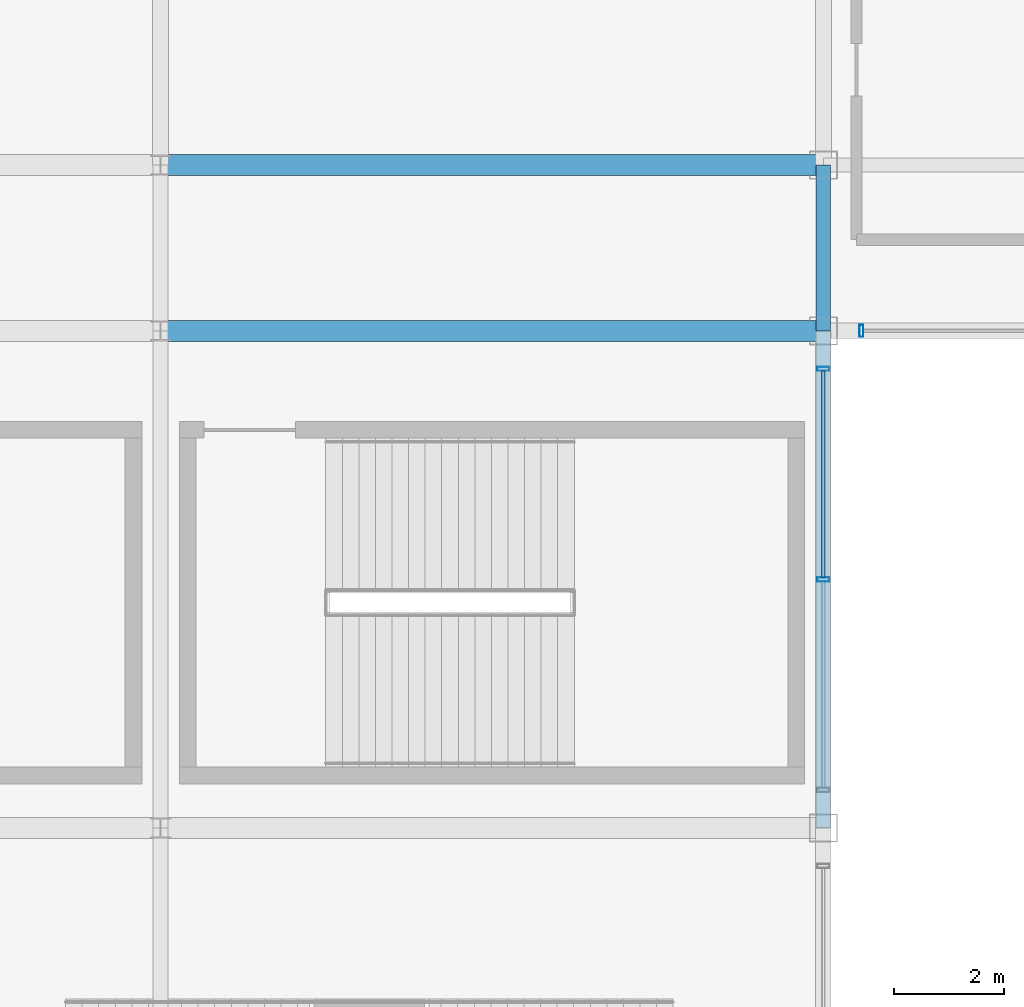
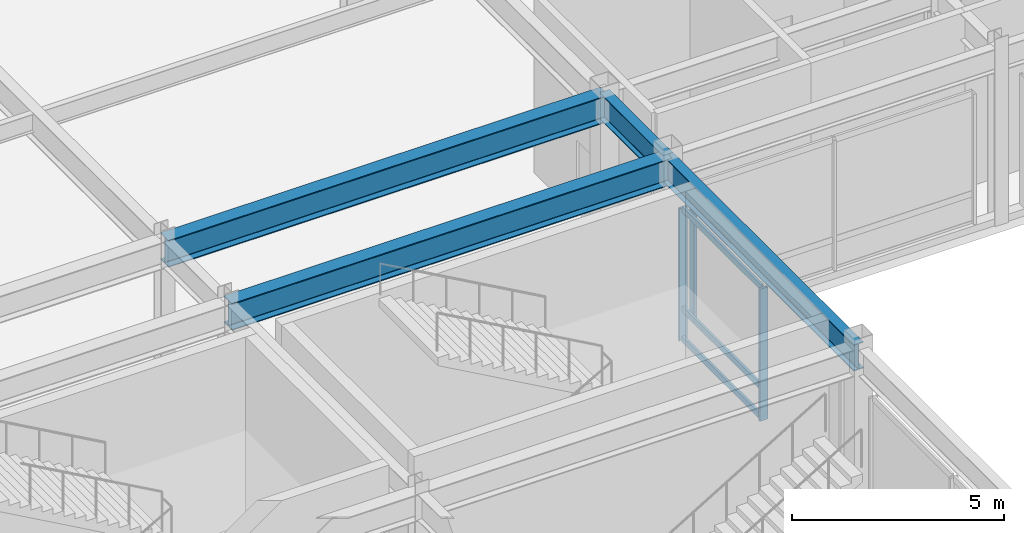
# One storey, part 58 of 100: 6 members, 4 beams, 2 elements without a shape of their own.
"""IFC4 building model written with IfcOpenShell, lengths in metres."""

from ifc_helpers import new_model, si_unit, direction, frame, origin, origin_2d, place, context, subcontext, project, spatial, hollow_rectangle, i_section, extrude, material, material_profile, profile_set, type_object, element, aggregate, save


model = new_model("IFC4")

# Units and contexts
model_context = context("Model", 3, precision=1e-05, world=origin(), true_north=direction((0.0, 1.0)))
body_context = subcontext(model_context, "Body", "Model", "MODEL_VIEW")
ifc_project = project(units=[si_unit("LENGTHUNIT", "METRE"), si_unit("AREAUNIT", "SQUARE_METRE"), si_unit("VOLUMEUNIT", "CUBIC_METRE"), si_unit("PLANEANGLEUNIT", "RADIAN"), si_unit("MASSUNIT", "GRAM", prefix="KILO")], contexts=[model_context])

# Site, building, storey
site_placement = place(None, origin())
site = spatial("IfcSite", under=ifc_project, at=site_placement, CompositionType="ELEMENT")
building_placement = place(site_placement, origin())
building = spatial("IfcBuilding", under=site, at=building_placement, Name="Kaldorvane Square Convention Centre", CompositionType="ELEMENT")
storey_placement = place(building_placement, frame((0.0, 0.0, 18.0)))
storey = spatial("IfcBuildingStorey", under=building, at=storey_placement, Name="L03", CompositionType="ELEMENT", Elevation=18.0)

# Beams
ifc_material_1 = material(Name="Steel ASTM A992 Gr. 50", Category="steel")
ifc_material_profile_1 = material_profile(ifc_material_1, i_section(OverallWidth=0.2666015625, OverallDepth=0.762298583984375, WebThickness=0.014404296875, FlangeThickness=0.0216064453125, FilletRadius=0.0164947509765625, at=origin_2d()), Name="W30X116")
ifc_profile_set_1 = profile_set([ifc_material_profile_1], Name="Steel ASTM A992 Gr. 50")
beam_type_1 = type_object("IfcBeamType", Name="BM-GR-W30X116", PredefinedType="BEAM", material=ifc_profile_set_1)
beam_1_placement = place(storey_placement, frame((138.0, 72.0, 4.694793701171875), z_axis=(0.0, 1.0, 0.0), x_axis=(-1.0, 0.0, 0.0)))
element("IfcBeam", 1, at=beam_1_placement, inside=storey, type_object=beam_type_1, Name="Transverse Girder (L03)", PredefinedType="BEAM", context=body_context, shape_type="SweptSolid", body=[
    extrude(i_section(OverallWidth=0.2666015625, OverallDepth=0.762298583984375, WebThickness=0.014404296875, FlangeThickness=0.0216064453125, FilletRadius=0.0164947509765625, at=origin_2d()), origin(), (0.0, 0.0, 1.0), 9.0),
])
beam_2_placement = place(storey_placement, frame((138.0, 81.0, 4.694793701171875), z_axis=(0.0, 1.0, 0.0), x_axis=(-1.0, 0.0, 0.0)))
element("IfcBeam", 2, at=beam_2_placement, inside=storey, type_object=beam_type_1, Name="Transverse Girder (L03)", PredefinedType="BEAM", context=body_context, shape_type="SweptSolid", body=[
    extrude(i_section(OverallWidth=0.2666015625, OverallDepth=0.762298583984375, WebThickness=0.014404296875, FlangeThickness=0.0216064453125, FilletRadius=0.0164947509765625, at=origin_2d()), origin(), (0.0, 0.0, 1.0), 3.0),
])
ifc_material_profile_2 = material_profile(ifc_material_1, i_section(OverallWidth=0.380706787109375, OverallDepth=0.773193359375, WebThickness=0.0166015625, FlangeThickness=0.027099609375, FilletRadius=0.0164947509765625, at=origin_2d()), Name="W30X173")
ifc_profile_set_2 = profile_set([ifc_material_profile_2], Name="Steel ASTM A992 Gr. 50")
beam_type_2 = type_object("IfcBeamType", Name="BM-GR-W30X173", PredefinedType="BEAM", material=ifc_profile_set_2)
for number, where, z_axis, x_axis, name in (
    (3, (126.0, 81.0, 4.6894073486328125), (1.0, 0.0, 0.0), (0.0, 1.0, 0.0), "Primary Girder (L03)"),
    (4, (126.0, 84.0, 4.6894073486328125), (1.0, 0.0, 0.0), (0.0, 1.0, 0.0), "Primary Girder (L03)"),
):
    element("IfcBeam", number, at=place(storey_placement, frame(where, z_axis=z_axis, x_axis=x_axis)), inside=storey, type_object=beam_type_2, Name=name, PredefinedType="BEAM", context=body_context, shape_type="SweptSolid", body=[
        extrude(i_section(OverallWidth=0.380706787109375, OverallDepth=0.773193359375, WebThickness=0.0166015625, FlangeThickness=0.027099609375, FilletRadius=0.0164947509765625, at=origin_2d()), origin(), (0.0, 0.0, 1.0), 12.0),
    ])

# Curtain wall, members
ifc_material_2 = material(Name="Anodized Aluminum and Low-E Insulated Glazing", Category="aluminium")
curtain_wall_type = type_object("IfcCurtainWallType", Name="CW-PTS-FC-54", PredefinedType="USERDEFINED", material=ifc_material_2)
curtain_wall_1_placement = place(storey_placement, origin())
curtain_wall_1 = element("IfcCurtainWall", 5, at=curtain_wall_1_placement, inside=storey, type_object=curtain_wall_type, Name="Curtain Wall CW-08 (L03)", ObjectType="POINT SUPPORTED GLAZING", PredefinedType="USERDEFINED")
ifc_material_profile_3 = material_profile(ifc_material_2, hollow_rectangle(XDim=0.0749969482421875, YDim=0.220001220703125, WallThickness=0.003997802734375, at=origin_2d()), Name="CWM-220X75")
ifc_profile_set_3 = profile_set([ifc_material_profile_3], Name="Anodized Aluminum and Low-E Insulated Glazing")
member_type_1 = type_object("IfcMemberType", Name="CW-MUL-220", PredefinedType="MULLION", material=ifc_profile_set_3)
member_1_placement = place(storey_placement, frame((138.0, 76.5, 0.149993896484375), z_axis=(0.0, 0.0, 1.0), x_axis=(0.0, 1.0, 0.0)))
member_1 = element("IfcMember", 6, at=member_1_placement, type_object=member_type_1, Name="CW-08 mullion 2", PredefinedType="MULLION", context=body_context, shape_type="SweptSolid", body=[
    extrude(hollow_rectangle(XDim=0.0749969482421875, YDim=0.220001220703125, WallThickness=0.003997802734375, at=origin_2d()), origin(), (0.0, 0.0, 1.0), 3.8100128173828125),
])
member_2_placement = place(storey_placement, frame((138.0, 80.3125, 0.149993896484375), z_axis=(0.0, 0.0, 1.0), x_axis=(0.0, 1.0, 0.0)))
member_2 = element("IfcMember", 7, at=member_2_placement, type_object=member_type_1, Name="CW-08 mullion 3", PredefinedType="MULLION", context=body_context, shape_type="SweptSolid", body=[
    extrude(hollow_rectangle(XDim=0.0749969482421875, YDim=0.220001220703125, WallThickness=0.003997802734375, at=origin_2d()), origin(), (0.0, 0.0, 1.0), 3.8100128173828125),
])

# Curtain wall, member
curtain_wall_2_placement = place(storey_placement, origin())
curtain_wall_2 = element("IfcCurtainWall", 8, at=curtain_wall_2_placement, inside=storey, type_object=curtain_wall_type, Name="Curtain Wall CW-08 (L03)", ObjectType="POINT SUPPORTED GLAZING", PredefinedType="USERDEFINED")
member_3_placement = place(storey_placement, frame((138.6875, 81.0, 0.149993896484375), z_axis=(0.0, 0.0, 1.0), x_axis=(1.0, 0.0, 0.0)))
member_3 = element("IfcMember", 9, at=member_3_placement, type_object=member_type_1, Name="CW-08 mullion 1", PredefinedType="MULLION", context=body_context, shape_type="SweptSolid", body=[
    extrude(hollow_rectangle(XDim=0.0749969482421875, YDim=0.220001220703125, WallThickness=0.003997802734375, at=origin_2d()), origin(), (0.0, 0.0, 1.0), 3.8100128173828125),
])
aggregate(curtain_wall_2, [member_3])

# Member
ifc_material_profile_4 = material_profile(ifc_material_2, hollow_rectangle(XDim=0.06500244140625, YDim=0.17999267578125, WallThickness=0.0034942626953125, at=origin_2d()), Name="CWT-180X65")
ifc_profile_set_4 = profile_set([ifc_material_profile_4], Name="Anodized Aluminum and Low-E Insulated Glazing")
member_type_2 = type_object("IfcMemberType", Name="CW-TRN-180", PredefinedType="USERDEFINED", material=ifc_profile_set_4)
member_4_placement = place(storey_placement, frame((138.0, 76.53750610351562, 0.1824951171875), z_axis=(0.0, 1.0, 0.0), x_axis=(-1.0, 0.0, 0.0)))
member_4 = element("IfcMember", 10, at=member_4_placement, type_object=member_type_2, Name="CW-08 transom 2.1", ObjectType="TRANSOM", PredefinedType="USERDEFINED", context=body_context, shape_type="SweptSolid", body=[
    extrude(hollow_rectangle(XDim=0.06500244140625, YDim=0.17999267578125, WallThickness=0.0034942626953125, at=origin_2d()), origin(), (0.0, 0.0, 1.0), 3.73748779296875),
])

member_5_placement = place(storey_placement, frame((138.0, 76.53750610351562, 1.0500030517578125), z_axis=(0.0, 1.0, 0.0), x_axis=(-1.0, 0.0, 0.0)))
member_5 = element("IfcMember", 11, at=member_5_placement, type_object=member_type_2, Name="CW-08 transom 2.2", ObjectType="TRANSOM", PredefinedType="USERDEFINED", context=body_context, shape_type="SweptSolid", body=[
    extrude(hollow_rectangle(XDim=0.06500244140625, YDim=0.17999267578125, WallThickness=0.0034942626953125, at=origin_2d()), origin(), (0.0, 0.0, 1.0), 3.73748779296875),
])

member_6_placement = place(storey_placement, frame((138.0, 76.53750610351562, 3.9275054931640625), z_axis=(0.0, 1.0, 0.0), x_axis=(-1.0, 0.0, 0.0)))
member_6 = element("IfcMember", 12, at=member_6_placement, type_object=member_type_2, Name="CW-08 transom 2.3", ObjectType="TRANSOM", PredefinedType="USERDEFINED", context=body_context, shape_type="SweptSolid", body=[
    extrude(hollow_rectangle(XDim=0.06500244140625, YDim=0.17999267578125, WallThickness=0.0034942626953125, at=origin_2d()), origin(), (0.0, 0.0, 1.0), 3.73748779296875),
])

aggregate(curtain_wall_1, [member_1, member_2, member_4, member_5, member_6])

save(model, "model.ifc")
